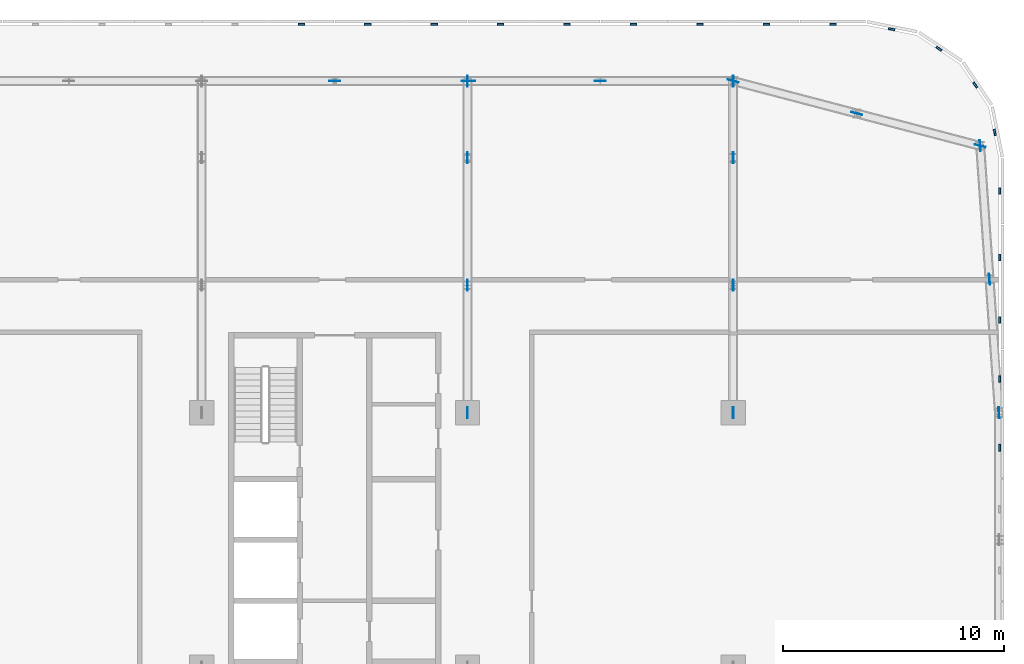
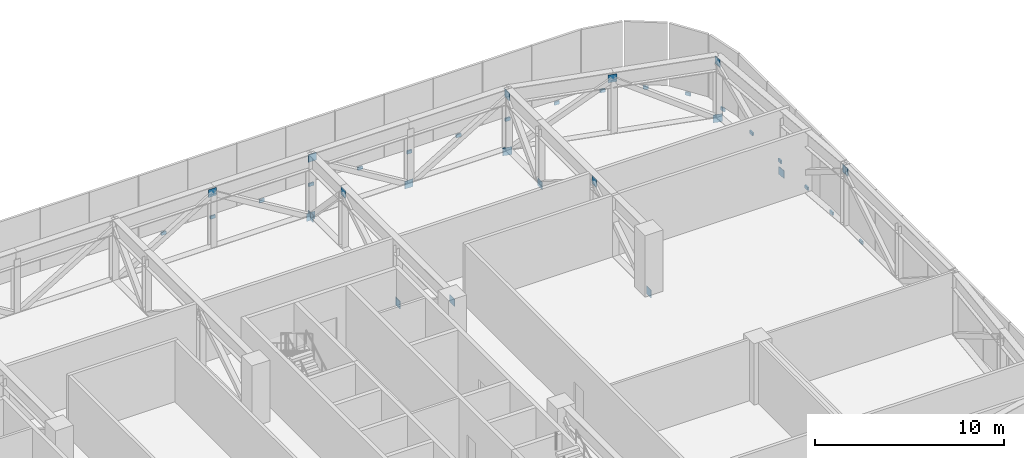
# One storey, part 22 of 28: 37 discrete accessories.
"""IFC4 building model written with IfcOpenShell, lengths in metres."""

from ifc_helpers import new_model, si_unit, direction, frame, origin, origin_2d, place, context, subcontext, project, spatial, rectangle, extrude, material, layer, layer_set, type_object, element, save


model = new_model("IFC4")

# Units and contexts
model_context = context("Model", 3, precision=1e-05, world=origin(), true_north=direction((0.0, 1.0)))
body_context = subcontext(model_context, "Body", "Model", "MODEL_VIEW")
ifc_project = project(units=[si_unit("LENGTHUNIT", "METRE"), si_unit("AREAUNIT", "SQUARE_METRE"), si_unit("VOLUMEUNIT", "CUBIC_METRE"), si_unit("PLANEANGLEUNIT", "RADIAN"), si_unit("MASSUNIT", "GRAM", prefix="KILO")], contexts=[model_context])

# Site, building, storey
site_placement = place(None, origin())
site = spatial("IfcSite", under=ifc_project, at=site_placement, CompositionType="ELEMENT")
building_placement = place(site_placement, origin())
building = spatial("IfcBuilding", under=site, at=building_placement, Name="Mahtab Terrace Research Tower", CompositionType="ELEMENT")
storey_placement = place(building_placement, frame((0.0, 0.0, 224.300048828125)))
storey = spatial("IfcBuildingStorey", under=building, at=storey_placement, Name="L54", CompositionType="ELEMENT", Elevation=224.300048828125)

# Discrete accessories
ifc_material_1 = material(Name="Black anodised aluminium", Category="aluminium")
discrete_accessory_type_1 = type_object("IfcDiscreteAccessoryType", Name="Facade bracket", PredefinedType="BRACKET", material=ifc_material_1)
for number, where, z_axis, x_axis, name in (
    (1, (54.044921875, 18.5, -0.2998046875), (0.0, 0.0, 1.0), (0.0, 1.0, 0.0), "Louvre bracket L54 1"),
    (2, (54.044921875, 21.5, -0.2998046875), (0.0, 0.0, 1.0), (0.0, 1.0, 0.0), "Louvre bracket L54 2"),
    (3, (53.815673828125, 24.15673828125, -0.2998046875), (0.0, 0.0, 1.0), (-0.195212442692, 0.980760981187, 0.0), "Louvre bracket L54 3"),
    (4, (52.930419921875, 26.29443359375, -0.2998046875), (0.0, 0.0, 1.0), (-0.555291490808, 0.831655794326, 0.0), "Louvre bracket L54 4"),
    (5, (51.29443359375, 27.930419921875, -0.2998046875), (0.0, 0.0, 1.0), (-0.831655794326, 0.555291490808, 0.0), "Louvre bracket L54 5"),
    (6, (49.15673828125, 28.815673828125, -0.2998046875), (0.0, 0.0, 1.0), (-0.980760981187, 0.195212442692, 0.0), "Louvre bracket L54 6"),
    (7, (46.5, 29.044921875, -0.2998046875), (0.0, 0.0, 1.0), (-1.0, 0.0, 0.0), "Louvre bracket L54 7"),
    (8, (43.5, 29.044921875, -0.2998046875), (0.0, 0.0, 1.0), (-1.0, 0.0, 0.0), "Louvre bracket L54 8"),
    (9, (40.5, 29.044921875, -0.2998046875), (0.0, 0.0, 1.0), (-1.0, 0.0, 0.0), "Louvre bracket L54 9"),
    (10, (37.5, 29.044921875, -0.2998046875), (0.0, 0.0, 1.0), (-1.0, 0.0, 0.0), "Louvre bracket L54 10"),
    (11, (34.5, 29.044921875, -0.2998046875), (0.0, 0.0, 1.0), (-1.0, 0.0, 0.0), "Louvre bracket L54 11"),
    (12, (31.5, 29.044921875, -0.2998046875), (0.0, 0.0, 1.0), (-1.0, 0.0, 0.0), "Louvre bracket L54 12"),
    (13, (28.5, 29.044921875, -0.2998046875), (0.0, 0.0, 1.0), (-1.0, 0.0, 0.0), "Louvre bracket L54 13"),
    (14, (25.5, 29.044921875, -0.2998046875), (0.0, 0.0, 1.0), (-1.0, 0.0, 0.0), "Louvre bracket L54 14"),
    (15, (22.5, 29.044921875, -0.2998046875), (0.0, 0.0, 1.0), (-1.0, 0.0, 0.0), "Louvre bracket L54 15"),
    (16, (54.044921875, 9.91259765625, -0.2998046875), (0.0, 0.0, 1.0), (0.0, 1.0, 0.0), "Louvre bracket L54 96"),
    (17, (54.044921875, 13.02490234375, -0.2998046875), (0.0, 0.0, 1.0), (0.0, 1.0, 0.0), "Louvre bracket L54 97"),
    (18, (54.044921875, 15.675048828125, -0.2998046875), (0.0, 0.0, 1.0), (0.0, 1.0, 0.0), "Louvre bracket L54 98"),
):
    element("IfcDiscreteAccessory", number, at=place(storey_placement, frame(where, z_axis=z_axis, x_axis=x_axis)), inside=storey, type_object=discrete_accessory_type_1, Name=name, PredefinedType="BRACKET", context=body_context, shape_type="SweptSolid", body=[
        extrude(rectangle(XDim=0.300048828125, YDim=0.090087890625, at=origin_2d()), origin(), (0.0, 0.0, 1.0), 0.199951171875),
    ])
ifc_material_2 = material(Name="Steel ASTM A992 Gr 50", Category="steel")
ifc_layer = layer(ifc_material_2, 0.030029296875)
ifc_layer_set = layer_set([ifc_layer], Name="Gusset plate 500x500x30")
discrete_accessory_type_2 = type_object("IfcDiscreteAccessoryType", Name="Gusset plate 500x500x30", PredefinedType="USERDEFINED", material=ifc_layer_set)
for number, where, z_axis, x_axis, name in (
    (19, (24.0, 26.472900390625, 3.20947265625), (0.0, 0.0, 1.0), (1.0, 0.0, 0.0), "Gusset plate"),
    (20, (30.0, 26.472900390625, -0.43798828125), (0.0, 0.0, 1.0), (1.0, 0.0, 0.0), "Gusset plate"),
    (21, (30.099609375, 26.472900390625, 3.339599609375), (0.0, 0.0, 1.0), (1.0, 0.0, 0.0), "Gusset plate"),
    (22, (36.0, 26.472900390625, -0.43798828125), (0.0, 0.0, 1.0), (1.0, 0.0, 0.0), "Gusset plate"),
    (23, (30.0, 11.5, 3.20947265625), (0.0, 0.0, 1.0), (0.0, 1.0, 0.0), "Gusset plate"),
    (24, (30.0, 17.25, -0.43798828125), (0.0, 0.0, 1.0), (0.0, 1.0, 0.0), "Gusset plate"),
    (25, (30.0, 23.0, 3.20947265625), (0.0, 0.0, 1.0), (0.0, 1.0, 0.0), "Gusset plate"),
    (26, (30.0, 26.472900390625, -0.43798828125), (0.0, 0.0, 1.0), (0.0, 1.0, 0.0), "Gusset plate"),
    (27, (42.0, 11.5, -0.43798828125), (0.0, 0.0, 1.0), (0.0, 1.0, 0.0), "Gusset plate"),
    (28, (42.0, 17.25, 3.20947265625), (0.0, 0.0, 1.0), (0.0, 1.0, 0.0), "Gusset plate"),
    (29, (42.0, 23.0, -0.43798828125), (0.0, 0.0, 1.0), (0.0, 1.0, 0.0), "Gusset plate"),
    (30, (42.0, 26.472900390625, 3.20947265625), (0.0, 0.0, 1.0), (0.0, 1.0, 0.0), "Gusset plate"),
    (31, (54.0, 11.5, 3.20947265625), (0.0, 0.0, 1.0), (0.0, 1.0, 0.0), "Gusset plate"),
    (32, (53.154052734375, 23.5458984375, 3.20947265625), (0.0, 0.0, 1.0), (-0.070052453881, 0.997543309188, 0.0), "Gusset plate"),
    (33, (53.576904296875, 17.52294921875, -0.43798828125), (0.0, 0.0, 1.0), (-0.070052453881, 0.997543309188, 0.0), "Gusset plate"),
    (34, (54.0, 11.5, 3.20947265625), (0.0, 0.0, 1.0), (-0.070052453881, 0.997543309188, 0.0), "Gusset plate"),
    (35, (42.0, 26.472900390625, -0.43798828125), (0.0, 0.0, 1.0), (-0.967227880638, 0.253909879517, 0.0), "Gusset plate"),
    (36, (47.576904296875, 25.009033203125, 3.20947265625), (0.0, 0.0, 1.0), (-0.967227880638, 0.253909879517, 0.0), "Gusset plate"),
    (37, (53.154052734375, 23.5458984375, -0.43798828125), (0.0, 0.0, 1.0), (-0.96727218154, 0.253741062539, 0.0), "Gusset plate"),
):
    element("IfcDiscreteAccessory", number, at=place(storey_placement, frame(where, z_axis=z_axis, x_axis=x_axis)), inside=storey, type_object=discrete_accessory_type_2, Name=name, ObjectType="GUSSET PLATE", PredefinedType="USERDEFINED", context=body_context, shape_type="SweptSolid", body=[
        extrude(rectangle(XDim=0.5, YDim=0.030029296875, at=origin_2d()), origin(), (0.0, 0.0, 1.0), 0.5),
    ])

save(model, "model.ifc")
